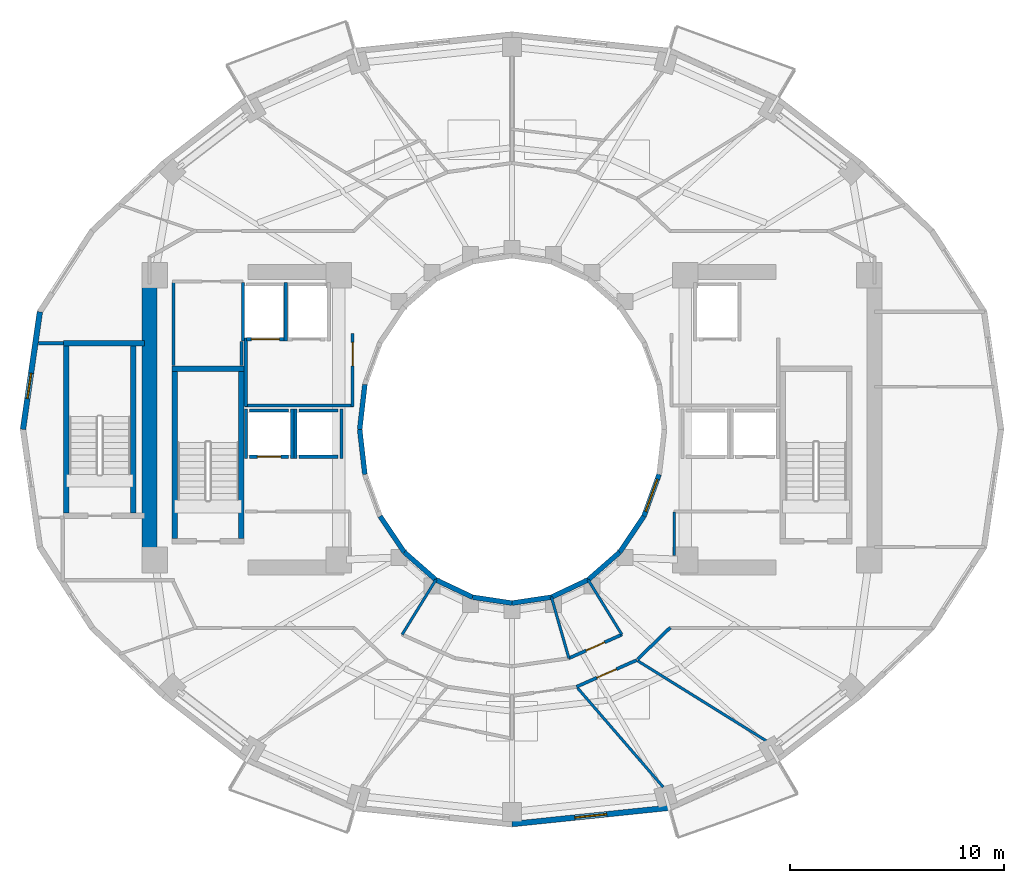
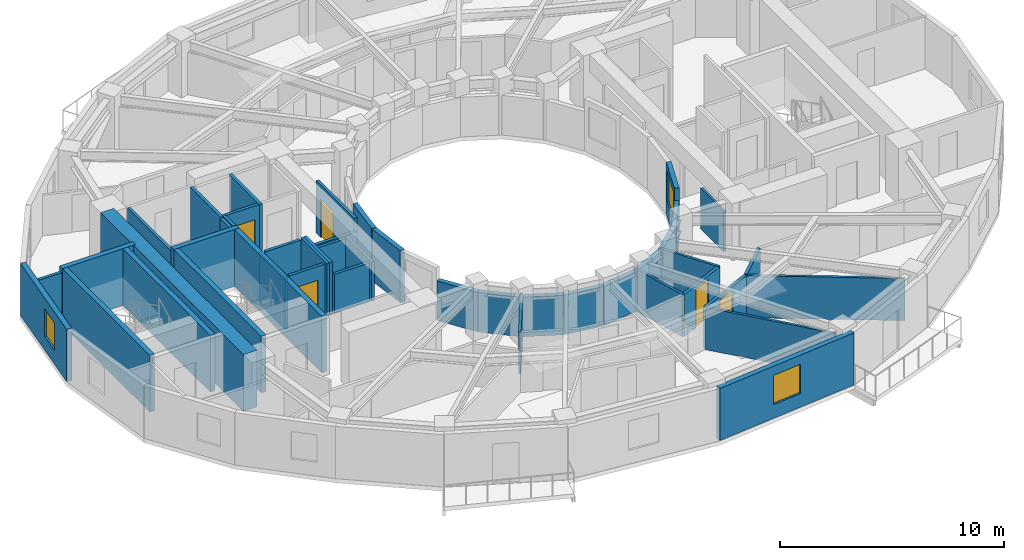
# One storey, part 4 of 10: 46 walls, 5 doors, 3 windows, 8 openings.
"""IFC4 building model written with IfcOpenShell, lengths in metres."""

from ifc_helpers import new_model, si_unit, direction, frame, frame_2d, origin, place, context, subcontext, project, spatial, rectangle, extrude, material, layer, layer_set, type_object, element, fill, save


model = new_model("IFC4")

# Units and contexts
model_context = context("Model", 3, precision=1e-05, world=origin(), true_north=direction((0.0, 1.0)))
body_context = subcontext(model_context, "Body", "Model", "MODEL_VIEW")
ifc_project = project(units=[si_unit("LENGTHUNIT", "METRE"), si_unit("AREAUNIT", "SQUARE_METRE"), si_unit("VOLUMEUNIT", "CUBIC_METRE"), si_unit("PLANEANGLEUNIT", "RADIAN"), si_unit("MASSUNIT", "GRAM", prefix="KILO")], contexts=[model_context])

# Site, building, storey
site_placement = place(None, origin())
site = spatial("IfcSite", under=ifc_project, at=site_placement, CompositionType="ELEMENT")
building_placement = place(site_placement, origin())
building = spatial("IfcBuilding", under=site, at=building_placement, Name="Solvane Sanctuary Tower", CompositionType="ELEMENT")
storey_placement = place(building_placement, frame((0.0, 0.0, 146.699951171875)))
storey = spatial("IfcBuildingStorey", under=building, at=storey_placement, Name="L44", CompositionType="ELEMENT", Elevation=146.699951171875)

# Walls
ifc_material_1 = material(Name="Concrete C60/75", Category="concrete")
ifc_layer_1 = layer(ifc_material_1, 0.699951171875, Name="Concrete C60/75")
ifc_layer_set_1 = layer_set([ifc_layer_1], Name="Concrete C60/75")
wall_type_1 = type_object("IfcWallType", Name="Wall W-CORE-700", PredefinedType="SHEAR", material=ifc_layer_set_1)
wall_1_placement = place(storey_placement, frame((15.050048828125, 17.050048828125, 0.0), z_axis=(0.0, 0.0, 1.0), x_axis=(0.0, 1.0, 0.0)))
element("IfcWall", 1, at=wall_1_placement, inside=storey, type_object=wall_type_1, Name="L44 Core Shear Wall WC-W", PredefinedType="SHEAR", context=body_context, shape_type="SweptSolid", body=[
    extrude(rectangle(XDim=12.800048828125, YDim=0.699951171875, at=frame_2d((6.39990234375, 0.0))), origin(), (0.0, 0.0, 1.0), 3.10009765625),
])
ifc_material_2 = material(Name="Acoustic Gypsum Partition Board")
ifc_layer_2 = layer(ifc_material_2, 0.14990234375, Name="Acoustic Gypsum Partition Board")
ifc_layer_set_2 = layer_set([ifc_layer_2], Name="Acoustic Gypsum Partition Board")
wall_type_2 = type_object("IfcWallType", Name="Wall W-CORR-150", PredefinedType="PARTITIONING", material=ifc_layer_set_2)
wall_2_placement = place(storey_placement, frame((19.52001953125, 24.1201171875, 0.0), z_axis=(0.0, 0.0, 1.0), x_axis=(1.0, 0.0, 0.0)))
element("IfcWall", 2, at=wall_2_placement, inside=storey, type_object=wall_type_2, Name="L44 West Firefighting Lobby South Wall", PredefinedType="PARTITIONING", context=body_context, shape_type="SweptSolid", body=[
    extrude(rectangle(XDim=5.080078125, YDim=0.14990234375, at=frame_2d((2.5400390625, 0.0))), origin(), (0.0, 0.0, 1.0), 2.1201171875),
])
wall_3_placement = place(storey_placement, frame((19.550048828125, 24.080078125, 0.0), z_axis=(0.0, 0.0, 1.0), x_axis=(0.0, 1.0, 0.0)))
element("IfcWall", 3, at=wall_3_placement, inside=storey, type_object=wall_type_2, Name="L44 West Firefighting Lobby West Wall", PredefinedType="PARTITIONING", context=body_context, shape_type="SweptSolid", body=[
    extrude(rectangle(XDim=3.199951171875, YDim=0.14990234375, at=frame_2d((1.60009765625, 0.0))), origin(), (0.0, 0.0, 1.0), 2.85498046875),
])

# Wall, opening, door
wall_4_placement = place(storey_placement, frame((24.550048828125, 24.080078125, 0.0), z_axis=(0.0, 0.0, 1.0), x_axis=(0.0, 1.0, 0.0)))
wall_4 = element("IfcWall", 4, at=wall_4_placement, inside=storey, type_object=wall_type_2, Name="L44 West Firefighting Lobby East Wall", PredefinedType="PARTITIONING", context=body_context, shape_type="SweptSolid", body=[
    extrude(rectangle(XDim=3.39990234375, YDim=0.14990234375, at=frame_2d((1.699951171875, 0.0))), origin(), (0.0, 0.0, 1.0), 2.85498046875),
])
opening_1_placement = place(wall_4_placement, frame((1.893798828125, 0.0, 0.0)))
opening_1 = element("IfcOpeningElement", 5, at=opening_1_placement, cuts=wall_4, Name="Opening D-L44-08", PredefinedType="OPENING", context=body_context, shape_type="SweptSolid", body=[
    extrude(rectangle(XDim=1.10009765625, YDim=2.10009765625, at=frame_2d((0.550048828125, 1.050048828125))), frame((0.0, 0.0849609375, 0.0), z_axis=(0.0, -1.0, 0.0), x_axis=(1.0, 0.0, 0.0)), (0.0, 0.0, 1.0), 0.169921875),
])
ifc_material_3 = material(Name="Architectural Stainless Steel 316", Category="steel")
door_type_1 = type_object("IfcDoorType", Name="Door D-FFL", OperationType="NOTDEFINED", PredefinedType="DOOR", material=ifc_material_3)
door_1_placement = place(opening_1_placement, origin())
door_1 = element("IfcDoor", 6, at=door_1_placement, inside=storey, type_object=door_type_1, Name="L44 West Firefighting Lobby Fire Door", OperationType="SINGLE_SWING_LEFT", OverallHeight=2.10009765625, OverallWidth=1.10009765625, PredefinedType="DOOR", context=body_context, shape_type="SweptSolid", body=[
    extrude(rectangle(XDim=1.10009765625, YDim=2.10009765625, at=frame_2d((0.550048828125, 1.050048828125))), frame((0.0, 0.02490234375, 0.0), z_axis=(0.0, -1.0, 0.0), x_axis=(1.0, 0.0, 0.0)), (0.0, 0.0, 1.0), 0.050048828125),
])
fill(opening_1, door_1)

# Walls
wall_5_placement = place(storey_placement, frame((9.869873046875, 27.030029296875, 0.0), z_axis=(0.0, 0.0, 1.0), x_axis=(1.0, 0.0, 0.0)))
element("IfcWall", 7, at=wall_5_placement, inside=storey, type_object=wall_type_2, Name="L44 NW Corner Closer 1", PredefinedType="PARTITIONING", context=body_context, shape_type="SweptSolid", body=[
    extrude(rectangle(XDim=1.170166015625, YDim=0.14990234375, at=frame_2d((0.5849609375, 0.0))), origin(), (0.0, 0.0, 1.0), 2.85498046875),
])
wall_6_placement = place(storey_placement, frame((37.867431640625, 12.251220703125, 0.0), z_axis=(0.0, 0.0, 1.0), x_axis=(0.717419568599, 0.696641344302, 0.0)))
element("IfcWall", 8, at=wall_6_placement, inside=storey, type_object=wall_type_2, Name="L44 SE Corner Throat Wall", PredefinedType="PARTITIONING", context=body_context, shape_type="SweptSolid", body=[
    extrude(rectangle(XDim=2.138427734375, YDim=0.14990234375, at=frame_2d((1.0693359375, 0.0))), origin(), (0.0, 0.0, 1.0), 2.299072265625),
])

# Wall, opening, door
wall_7_placement = place(storey_placement, frame((34.652587890625, 12.29931640625, 0.0), z_axis=(0.0, 0.0, 1.0), x_axis=(0.913112902883, 0.407706789971, 0.0)))
wall_7 = element("IfcWall", 9, at=wall_7_placement, inside=storey, type_object=wall_type_2, Name="L44 Inner Light-Well Corridor Wall S2", PredefinedType="PARTITIONING", context=body_context, shape_type="SweptSolid", body=[
    extrude(rectangle(XDim=2.728759765625, YDim=0.14990234375, at=frame_2d((1.3642578125, 0.0))), origin(), (0.0, 0.0, 1.0), 2.299072265625),
])
opening_2_placement = place(wall_7_placement, frame((0.889404296875, 0.0, 0.0)))
opening_2 = element("IfcOpeningElement", 10, at=opening_2_placement, cuts=wall_7, Name="Opening D-L44-24", PredefinedType="OPENING", context=body_context, shape_type="SweptSolid", body=[
    extrude(rectangle(XDim=0.949951171875, YDim=2.10009765625, at=frame_2d((0.47509765625, 1.050048828125))), frame((0.0, 0.0849609375, 0.0), z_axis=(0.0, -1.0, 0.0), x_axis=(1.0, 0.0, 0.0)), (0.0, 0.0, 1.0), 0.169921875),
])
ifc_material_4 = material(Name="Engineered Tropical Hardwood", Category="wood")
door_type_2 = type_object("IfcDoorType", Name="Door D-ROOM-950", OperationType="NOTDEFINED", PredefinedType="DOOR", material=ifc_material_4)
door_2_placement = place(opening_2_placement, origin())
door_2 = element("IfcDoor", 11, at=door_2_placement, inside=storey, type_object=door_type_2, Name="L44 Inner Light-Well Salon Door S2", OperationType="SINGLE_SWING_LEFT", OverallHeight=2.10009765625, OverallWidth=0.949951171875, PredefinedType="DOOR", context=body_context, shape_type="SweptSolid", body=[
    extrude(rectangle(XDim=0.949951171875, YDim=2.10009765625, at=frame_2d((0.47509765625, 1.050048828125))), frame((0.0, 0.02490234375, 0.0), z_axis=(0.0, -1.0, 0.0), x_axis=(1.0, 0.0, 0.0)), (0.0, 0.0, 1.0), 0.050048828125),
])
fill(opening_2, door_2)

wall_8_placement = place(storey_placement, frame((35.0087890625, 10.96630859375, 0.0), z_axis=(0.0, 0.0, 1.0), x_axis=(0.91445214467, 0.404694051239, 0.0)))
wall_8 = element("IfcWall", 12, at=wall_8_placement, inside=storey, type_object=wall_type_2, Name="L44 Unit Corridor Wall S3", PredefinedType="PARTITIONING", context=body_context, shape_type="SweptSolid", body=[
    extrude(rectangle(XDim=3.090576171875, YDim=0.14990234375, at=frame_2d((1.54541015625, 0.0))), origin(), (0.0, 0.0, 1.0), 2.299072265625),
])
opening_3_placement = place(wall_8_placement, frame((1.04541015625, 0.0, 0.0)))
opening_3 = element("IfcOpeningElement", 13, at=opening_3_placement, cuts=wall_8, Name="Opening D-L44-34", PredefinedType="OPENING", context=body_context, shape_type="SweptSolid", body=[
    extrude(rectangle(XDim=1.0, YDim=2.10009765625, at=frame_2d((0.5, 1.050048828125))), frame((0.0, 0.0849609375, 0.0), z_axis=(0.0, -1.0, 0.0), x_axis=(1.0, 0.0, 0.0)), (0.0, 0.0, 1.0), 0.169921875),
])
door_type_3 = type_object("IfcDoorType", Name="Door D-UNIT", OperationType="NOTDEFINED", PredefinedType="DOOR", material=ifc_material_4)
door_3_placement = place(opening_3_placement, origin())
door_3 = element("IfcDoor", 14, at=door_3_placement, inside=storey, type_object=door_type_3, Name="L44 Unit Entrance Door S3", OperationType="SINGLE_SWING_LEFT", OverallHeight=2.10009765625, OverallWidth=1.0, PredefinedType="DOOR", context=body_context, shape_type="SweptSolid", body=[
    extrude(rectangle(XDim=1.0, YDim=2.10009765625, at=frame_2d((0.5, 1.050048828125))), frame((0.0, 0.02490234375, 0.0), z_axis=(0.0, -1.0, 0.0), x_axis=(1.0, 0.0, 0.0)), (0.0, 0.0, 1.0), 0.050048828125),
])
fill(opening_3, door_3)

# Wall, opening, window
ifc_material_5 = material(Name="Precast concrete C40/50", Category="concrete")
ifc_layer_3 = layer(ifc_material_5, 0.260009765625, Name="Precast concrete C40/50")
ifc_layer_set_3 = layer_set([ifc_layer_3], Name="Precast concrete C40/50")
wall_type_3 = type_object("IfcWallType", Name="Wall W-EXT-250", PredefinedType="STANDARD", material=ifc_layer_set_3)
wall_9_placement = place(storey_placement, frame((9.9296875, 28.49658203125, 0.0), z_axis=(0.0, 0.0, 1.0), x_axis=(-0.142227632286, -0.989833976288, 0.0)))
wall_9 = element("IfcWall", 15, at=wall_9_placement, inside=storey, type_object=wall_type_3, Name="L44 Ceramic-Printed Facade Wall 11", PredefinedType="STANDARD", context=body_context, shape_type="SweptSolid", body=[
    extrude(rectangle(XDim=5.552978515625, YDim=0.260009765625, at=frame_2d((2.7763671875, 0.0))), origin(), (0.0, 0.0, 1.0), 2.85009765625),
])
opening_4_placement = place(wall_9_placement, frame((2.892333984375, 0.0, 0.75)))
opening_4 = element("IfcOpeningElement", 16, at=opening_4_placement, cuts=wall_9, Name="Opening WN-OPER-1200", PredefinedType="OPENING", context=body_context, shape_type="SweptSolid", body=[
    extrude(rectangle(XDim=1.199951171875, YDim=1.5, at=frame_2d((0.60009765625, 0.75))), frame((0.0, 0.139892578125, 0.0), z_axis=(0.0, -1.0, 0.0), x_axis=(1.0, 0.0, 0.0)), (0.0, 0.0, 1.0), 0.280029296875),
])
ifc_material_6 = material(Name="Dark Ceramic-Fritted Low-E Glass", Category="glass")
window_type_1 = type_object("IfcWindowType", Name="Window WN-OPER-1200", PartitioningType="SINGLE_PANEL", PredefinedType="WINDOW", material=ifc_material_6)
window_1_placement = place(opening_4_placement, origin())
window_1 = element("IfcWindow", 17, at=window_1_placement, inside=storey, type_object=window_type_1, Name="L44 Operable Facade Window 11", OverallHeight=1.5, OverallWidth=1.199951171875, PartitioningType="SINGLE_PANEL", PredefinedType="WINDOW", context=body_context, shape_type="SweptSolid", body=[
    extrude(rectangle(XDim=1.199951171875, YDim=1.5, at=frame_2d((0.60009765625, 0.75))), frame((0.0, 0.030029296875, 0.0), z_axis=(0.0, -1.0, 0.0), x_axis=(1.0, 0.0, 0.0)), (0.0, 0.0, 1.0), 0.06005859375),
])
fill(opening_4, window_1)

wall_10_placement = place(storey_placement, frame((32.0, 4.551513671875, 0.0), z_axis=(0.0, 0.0, 1.0), x_axis=(0.994664178965, 0.10316574569, 0.0)))
wall_10 = element("IfcWall", 18, at=wall_10_placement, inside=storey, type_object=wall_type_3, Name="L44 Ceramic-Printed Facade Wall 18", PredefinedType="STANDARD", context=body_context, shape_type="SweptSolid", body=[
    extrude(rectangle(XDim=7.40478515625, YDim=0.260009765625, at=frame_2d((3.702392578125, 0.0))), origin(), (0.0, 0.0, 1.0), 2.85009765625),
])
opening_5_placement = place(wall_10_placement, frame((2.952392578125, 0.0, 0.75)))
opening_5 = element("IfcOpeningElement", 19, at=opening_5_placement, cuts=wall_10, Name="Opening WN-OPER-1500", PredefinedType="OPENING", context=body_context, shape_type="SweptSolid", body=[
    extrude(rectangle(XDim=1.5, YDim=1.60009765625, at=frame_2d((0.75, 0.800048828125))), frame((0.0, 0.139892578125, 0.0), z_axis=(0.0, -1.0, 0.0), x_axis=(1.0, 0.0, 0.0)), (0.0, 0.0, 1.0), 0.280029296875),
])
window_type_2 = type_object("IfcWindowType", Name="Window WN-OPER-1500", PartitioningType="SINGLE_PANEL", PredefinedType="WINDOW", material=ifc_material_6)
window_2_placement = place(opening_5_placement, origin())
window_2 = element("IfcWindow", 20, at=window_2_placement, inside=storey, type_object=window_type_2, Name="L44 Operable Facade Window 18", OverallHeight=1.60009765625, OverallWidth=1.5, PartitioningType="SINGLE_PANEL", PredefinedType="WINDOW", context=body_context, shape_type="SweptSolid", body=[
    extrude(rectangle(XDim=1.5, YDim=1.60009765625, at=frame_2d((0.75, 0.800048828125))), frame((0.0, 0.030029296875, 0.0), z_axis=(0.0, -1.0, 0.0), x_axis=(1.0, 0.0, 0.0)), (0.0, 0.0, 1.0), 0.06005859375),
])
fill(opening_5, window_2)

# Walls
ifc_layer_4 = layer(ifc_material_5, 0.22998046875, Name="Precast concrete C40/50")
ifc_layer_set_4 = layer_set([ifc_layer_4], Name="Precast concrete C40/50")
wall_type_4 = type_object("IfcWallType", Name="Wall W-EXT-SP220", PredefinedType="STANDARD", material=ifc_layer_set_4)
for number, where, z_axis, x_axis, name in (
    (21, (25.12255859375, 25.1015625, 0.0), (0.0, 0.0, 1.0), (-0.114711713601, -0.993398823617, 0.0), "L44 Central Light-Well Wall 11"),
    (22, (24.8798828125, 23.0, 0.0), (0.0, 0.0, 1.0), (0.114711713601, -0.993398823617, 0.0), "L44 Central Light-Well Wall 12"),
):
    element("IfcWall", number, at=place(storey_placement, frame(where, z_axis=z_axis, x_axis=x_axis)), inside=storey, type_object=wall_type_4, Name=name, PredefinedType="STANDARD", context=body_context, shape_type="SweptSolid", body=[
        extrude(rectangle(XDim=2.115478515625, YDim=0.22998046875, at=frame_2d((1.0576171875, 0.0))), origin(), (0.0, 0.0, 1.0), 2.840087890625),
    ])
wall_11_placement = place(storey_placement, frame((25.833984375, 18.93994140625, 0.0), z_axis=(0.0, 0.0, 1.0), x_axis=(0.558197800898, -0.829707909492, 0.0)))
element("IfcWall", 23, at=wall_11_placement, inside=storey, type_object=wall_type_4, Name="L44 Central Light-Well Wall 14", PredefinedType="STANDARD", context=body_context, shape_type="SweptSolid", body=[
    extrude(rectangle(XDim=2.02685546875, YDim=0.22998046875, at=frame_2d((1.013427734375, 0.0))), origin(), (0.0, 0.0, 1.0), 2.16015625),
])
wall_12_placement = place(storey_placement, frame((26.96533203125, 17.25830078125, 0.0), z_axis=(0.0, 0.0, 1.0), x_axis=(0.752576694707, -0.658504607869, 0.0)))
element("IfcWall", 24, at=wall_12_placement, inside=storey, type_object=wall_type_4, Name="L44 Central Light-Well Wall 15", PredefinedType="STANDARD", context=body_context, shape_type="SweptSolid", body=[
    extrude(rectangle(XDim=1.95947265625, YDim=0.22998046875, at=frame_2d((0.979736328125, 0.0))), origin(), (0.0, 0.0, 1.0), 2.16015625),
])
wall_13_placement = place(storey_placement, frame((28.43994140625, 15.968017578125, 0.0), z_axis=(0.0, 0.0, 1.0), x_axis=(0.904179699603, -0.427152280606, 0.0)))
element("IfcWall", 25, at=wall_13_placement, inside=storey, type_object=wall_type_4, Name="L44 Central Light-Well Wall 16", PredefinedType="STANDARD", context=body_context, shape_type="SweptSolid", body=[
    extrude(rectangle(XDim=1.899169921875, YDim=0.22998046875, at=frame_2d((0.94970703125, 0.0))), origin(), (0.0, 0.0, 1.0), 2.16015625),
])
for number, where, z_axis, x_axis, name in (
    (26, (30.1572265625, 15.15673828125, 0.0), (0.0, 0.0, 1.0), (0.988901730308, -0.148571086668, 0.0), "L44 Central Light-Well Wall 17"),
    (27, (32.0, 14.8798828125, 0.0), (0.0, 0.0, 1.0), (0.988901730308, 0.148571086668, 0.0), "L44 Central Light-Well Wall 18"),
):
    element("IfcWall", number, at=place(storey_placement, frame(where, z_axis=z_axis, x_axis=x_axis)), inside=storey, type_object=wall_type_4, Name=name, PredefinedType="STANDARD", context=body_context, shape_type="SweptSolid", body=[
        extrude(rectangle(XDim=1.863525390625, YDim=0.22998046875, at=frame_2d((0.931640625, 0.0))), origin(), (0.0, 0.0, 1.0), 2.16015625),
    ])
wall_14_placement = place(storey_placement, frame((33.8427734375, 15.15673828125, 0.0), z_axis=(0.0, 0.0, 1.0), x_axis=(0.904179699603, 0.427152280606, 0.0)))
element("IfcWall", 28, at=wall_14_placement, inside=storey, type_object=wall_type_4, Name="L44 Central Light-Well Wall 19", PredefinedType="STANDARD", context=body_context, shape_type="SweptSolid", body=[
    extrude(rectangle(XDim=1.899169921875, YDim=0.22998046875, at=frame_2d((0.94970703125, 0.0))), origin(), (0.0, 0.0, 1.0), 2.16015625),
])
wall_15_placement = place(storey_placement, frame((35.56005859375, 15.968017578125, 0.0), z_axis=(0.0, 0.0, 1.0), x_axis=(0.752576694707, 0.658504607869, 0.0)))
element("IfcWall", 29, at=wall_15_placement, inside=storey, type_object=wall_type_4, Name="L44 Central Light-Well Wall 20", PredefinedType="STANDARD", context=body_context, shape_type="SweptSolid", body=[
    extrude(rectangle(XDim=1.95947265625, YDim=0.22998046875, at=frame_2d((0.979736328125, 0.0))), origin(), (0.0, 0.0, 1.0), 2.16015625),
])
wall_16_placement = place(storey_placement, frame((37.03466796875, 17.25830078125, 0.0), z_axis=(0.0, 0.0, 1.0), x_axis=(0.558197800898, 0.829707909492, 0.0)))
element("IfcWall", 30, at=wall_16_placement, inside=storey, type_object=wall_type_4, Name="L44 Central Light-Well Wall 21", PredefinedType="STANDARD", context=body_context, shape_type="SweptSolid", body=[
    extrude(rectangle(XDim=2.02685546875, YDim=0.22998046875, at=frame_2d((1.013427734375, 0.0))), origin(), (0.0, 0.0, 1.0), 2.16015625),
])

# Wall, opening, window
wall_17_placement = place(storey_placement, frame((38.166015625, 18.93994140625, 0.0), z_axis=(0.0, 0.0, 1.0), x_axis=(0.341423187295, 0.93990968033, 0.0)))
wall_17 = element("IfcWall", 31, at=wall_17_placement, inside=storey, type_object=wall_type_4, Name="L44 Central Light-Well Wall 22", PredefinedType="STANDARD", context=body_context, shape_type="SweptSolid", body=[
    extrude(rectangle(XDim=2.083740234375, YDim=0.22998046875, at=frame_2d((1.0419921875, 0.0))), origin(), (0.0, 0.0, 1.0), 2.840087890625),
])
opening_6_placement = place(wall_17_placement, frame((0.24169921875, 0.0, 0.85009765625)))
opening_6 = element("IfcOpeningElement", 32, at=opening_6_placement, cuts=wall_17, Name="Opening WN-WELL-1600", PredefinedType="OPENING", context=body_context, shape_type="SweptSolid", body=[
    extrude(rectangle(XDim=1.60009765625, YDim=1.64990234375, at=frame_2d((0.800048828125, 0.824951171875))), frame((0.0, 0.125, 0.0), z_axis=(0.0, -1.0, 0.0), x_axis=(1.0, 0.0, 0.0)), (0.0, 0.0, 1.0), 0.25),
])
ifc_material_7 = material(Name="Clear Laminated Light-Well Glass", Category="glass")
window_type_3 = type_object("IfcWindowType", Name="Window WN-WELL-1600", PartitioningType="SINGLE_PANEL", PredefinedType="WINDOW", material=ifc_material_7)
window_3_placement = place(opening_6_placement, origin())
window_3 = element("IfcWindow", 33, at=window_3_placement, inside=storey, type_object=window_type_3, Name="L44 Light-Well Daylight Window 22", OverallHeight=1.64990234375, OverallWidth=1.60009765625, PartitioningType="SINGLE_PANEL", PredefinedType="WINDOW", context=body_context, shape_type="SweptSolid", body=[
    extrude(rectangle(XDim=1.60009765625, YDim=1.64990234375, at=frame_2d((0.800048828125, 0.824951171875))), frame((0.0, 0.030029296875, 0.0), z_axis=(0.0, -1.0, 0.0), x_axis=(1.0, 0.0, 0.0)), (0.0, 0.0, 1.0), 0.06005859375),
])
fill(opening_6, window_3)

# Walls
ifc_layer_5 = layer(ifc_material_2, 0.125, Name="Acoustic Gypsum Partition Board")
ifc_layer_set_5 = layer_set([ifc_layer_5], Name="Acoustic Gypsum Partition Board")
wall_type_5 = type_object("IfcWallType", Name="Wall W-PART-125", PredefinedType="PARTITIONING", material=ifc_layer_set_5)
wall_18_placement = place(storey_placement, frame((39.580078125, 17.10009765625, 0.0), z_axis=(0.0, 0.0, 1.0), x_axis=(0.0, 1.0, 0.0)))
element("IfcWall", 34, at=wall_18_placement, inside=storey, type_object=wall_type_5, Name="L44 Reclaimed Room Closer Wall PLE-1", PredefinedType="PARTITIONING", context=body_context, shape_type="SweptSolid", body=[
    extrude(rectangle(XDim=2.039794921875, YDim=0.125, at=frame_2d((1.02001953125, 0.0))), origin(), (0.0, 0.0, 1.0), 2.23193359375),
])
wall_19_placement = place(storey_placement, frame((28.449951171875, 15.985107421875, 0.0), z_axis=(0.0, 0.0, 1.0), x_axis=(-0.524565340045, -0.851370192116, 0.0)))
element("IfcWall", 35, at=wall_19_placement, inside=storey, type_object=wall_type_5, Name="L44 Inner Light-Well Radial Wall 240", PredefinedType="PARTITIONING", context=body_context, shape_type="SweptSolid", body=[
    extrude(rectangle(XDim=3.027099609375, YDim=0.125, at=frame_2d((1.513671875, 0.0))), origin(), (0.0, 0.0, 1.0), 2.299072265625),
])
wall_20_placement = place(storey_placement, frame((33.837646484375, 15.176025390625, 0.0), z_axis=(0.0, 0.0, 1.0), x_axis=(0.274947609893, -0.961459209647, 0.0)))
element("IfcWall", 36, at=wall_20_placement, inside=storey, type_object=wall_type_5, Name="L44 Inner Light-Well Radial Wall 285", PredefinedType="PARTITIONING", context=body_context, shape_type="SweptSolid", body=[
    extrude(rectangle(XDim=2.98974609375, YDim=0.125, at=frame_2d((1.494873046875, 0.0))), origin(), (0.0, 0.0, 1.0), 2.299072265625),
])
wall_21_placement = place(storey_placement, frame((35.550048828125, 15.985107421875, 0.0), z_axis=(0.0, 0.0, 1.0), x_axis=(0.524565340045, -0.851370192116, 0.0)))
element("IfcWall", 37, at=wall_21_placement, inside=storey, type_object=wall_type_5, Name="L44 Inner Light-Well Radial Wall 300", PredefinedType="PARTITIONING", context=body_context, shape_type="SweptSolid", body=[
    extrude(rectangle(XDim=3.027099609375, YDim=0.125, at=frame_2d((1.513671875, 0.0))), origin(), (0.0, 0.0, 1.0), 2.299072265625),
])
wall_22_placement = place(storey_placement, frame((35.052734375, 10.9267578125, 0.0), z_axis=(0.0, 0.0, 1.0), x_axis=(0.653779283332, -0.756685303601, 0.0)))
element("IfcWall", 38, at=wall_22_placement, inside=storey, type_object=wall_type_5, Name="L44 Radial Compartment Wall 285", PredefinedType="PARTITIONING", context=body_context, shape_type="SweptSolid", body=[
    extrude(rectangle(XDim=6.139892578125, YDim=0.125, at=frame_2d((3.06982421875, 0.0))), origin(), (0.0, 0.0, 1.0), 2.299072265625),
])
wall_23_placement = place(storey_placement, frame((37.874755859375, 12.18359375, 0.0), z_axis=(0.0, 0.0, 1.0), x_axis=(0.849008457073, -0.528379257559, 0.0)))
element("IfcWall", 39, at=wall_23_placement, inside=storey, type_object=wall_type_5, Name="L44 Radial Compartment Wall 300", PredefinedType="PARTITIONING", context=body_context, shape_type="SweptSolid", body=[
    extrude(rectangle(XDim=7.076904296875, YDim=0.125, at=frame_2d((3.53857421875, 0.0))), origin(), (0.0, 0.0, 1.0), 2.299072265625),
])

# Wall, opening, door
ifc_material_8 = material(Name="Concrete C50/60", Category="concrete")
ifc_layer_6 = layer(ifc_material_8, 0.14990234375, Name="Concrete C50/60")
ifc_layer_set_6 = layer_set([ifc_layer_6], Name="Concrete C50/60")
wall_type_6 = type_object("IfcWallType", Name="Wall W-SHAFT-150", PredefinedType="SOLIDWALL", material=ifc_layer_set_6)
wall_24_placement = place(storey_placement, frame((19.739990234375, 21.719970703125, 0.0), z_axis=(0.0, 0.0, 1.0), x_axis=(1.0, 0.0, 0.0)))
wall_24 = element("IfcWall", 40, at=wall_24_placement, inside=storey, type_object=wall_type_6, Name="L44 PM-1 Lift Shaft Wall F", PredefinedType="SOLIDWALL", context=body_context, shape_type="SweptSolid", body=[
    extrude(rectangle(XDim=1.820068359375, YDim=0.14990234375, at=frame_2d((0.91015625, 0.0))), origin(), (0.0, 0.0, 1.0), 2.85498046875),
])
opening_7_placement = place(wall_24_placement, frame((0.360107421875, 0.0, 0.0)))
opening_7 = element("IfcOpeningElement", 41, at=opening_7_placement, cuts=wall_24, Name="Opening LD-L44-01", PredefinedType="OPENING", context=body_context, shape_type="SweptSolid", body=[
    extrude(rectangle(XDim=1.10009765625, YDim=2.10009765625, at=frame_2d((0.550048828125, 1.050048828125))), frame((0.0, 0.0849609375, 0.0), z_axis=(0.0, -1.0, 0.0), x_axis=(1.0, 0.0, 0.0)), (0.0, 0.0, 1.0), 0.169921875),
])
door_type_4 = type_object("IfcDoorType", Name="Door LD-PASS-1100", OperationType="NOTDEFINED", PredefinedType="DOOR", material=ifc_material_3)
door_4_placement = place(opening_7_placement, origin())
door_4 = element("IfcDoor", 42, at=door_4_placement, inside=storey, type_object=door_type_4, Name="L44 PM-1 Lift Landing Door", OperationType="DOUBLE_DOOR_SLIDING", OverallHeight=2.10009765625, OverallWidth=1.10009765625, PredefinedType="DOOR", context=body_context, shape_type="SweptSolid", body=[
    extrude(rectangle(XDim=1.10009765625, YDim=2.10009765625, at=frame_2d((0.550048828125, 1.050048828125))), frame((0.0, 0.02490234375, 0.0), z_axis=(0.0, -1.0, 0.0), x_axis=(1.0, 0.0, 0.0)), (0.0, 0.0, 1.0), 0.050048828125),
])
fill(opening_7, door_4)

# Walls
wall_25_placement = place(storey_placement, frame((19.739990234375, 23.8798828125, 0.0), z_axis=(0.0, 0.0, 1.0), x_axis=(1.0, 0.0, 0.0)))
element("IfcWall", 43, at=wall_25_placement, inside=storey, type_object=wall_type_6, Name="L44 PM-1 Lift Shaft Wall B", PredefinedType="SOLIDWALL", context=body_context, shape_type="SweptSolid", body=[
    extrude(rectangle(XDim=1.820068359375, YDim=0.14990234375, at=frame_2d((0.91015625, 0.0))), origin(), (0.0, 0.0, 1.0), 2.85498046875),
])
for number, where, z_axis, x_axis, name in (
    (44, (19.570068359375, 21.639892578125, 0.0), (0.0, 0.0, 1.0), (0.0, 1.0, 0.0), "L44 PM-1 Lift Shaft Wall S1"),
    (45, (21.72998046875, 21.639892578125, 0.0), (0.0, 0.0, 1.0), (0.0, 1.0, 0.0), "L44 PM-1 Lift Shaft Wall S2"),
):
    element("IfcWall", number, at=place(storey_placement, frame(where, z_axis=z_axis, x_axis=x_axis)), inside=storey, type_object=wall_type_6, Name=name, PredefinedType="SOLIDWALL", context=body_context, shape_type="SweptSolid", body=[
        extrude(rectangle(XDim=2.320068359375, YDim=0.14990234375, at=frame_2d((1.16015625, 0.0))), origin(), (0.0, 0.0, 1.0), 2.85498046875),
    ])
for number, where, z_axis, x_axis, name in (
    (46, (22.0400390625, 21.719970703125, 0.0), (0.0, 0.0, 1.0), (1.0, 0.0, 0.0), "L44 PH-1 Lift Shaft Wall F"),
    (47, (22.0400390625, 23.8798828125, 0.0), (0.0, 0.0, 1.0), (1.0, 0.0, 0.0), "L44 PH-1 Lift Shaft Wall B"),
):
    element("IfcWall", number, at=place(storey_placement, frame(where, z_axis=z_axis, x_axis=x_axis)), inside=storey, type_object=wall_type_6, Name=name, PredefinedType="SOLIDWALL", context=body_context, shape_type="SweptSolid", body=[
        extrude(rectangle(XDim=1.820068359375, YDim=0.14990234375, at=frame_2d((0.91015625, 0.0))), origin(), (0.0, 0.0, 1.0), 2.1201171875),
    ])
wall_26_placement = place(storey_placement, frame((21.8701171875, 21.639892578125, 0.0), z_axis=(0.0, 0.0, 1.0), x_axis=(0.0, 1.0, 0.0)))
element("IfcWall", 48, at=wall_26_placement, inside=storey, type_object=wall_type_6, Name="L44 PH-1 Lift Shaft Wall S1", PredefinedType="SOLIDWALL", context=body_context, shape_type="SweptSolid", body=[
    extrude(rectangle(XDim=2.320068359375, YDim=0.14990234375, at=frame_2d((1.16015625, 0.0))), origin(), (0.0, 0.0, 1.0), 2.85498046875),
])
wall_27_placement = place(storey_placement, frame((24.030029296875, 21.639892578125, 0.0), z_axis=(0.0, 0.0, 1.0), x_axis=(0.0, 1.0, 0.0)))
element("IfcWall", 49, at=wall_27_placement, inside=storey, type_object=wall_type_6, Name="L44 PH-1 Lift Shaft Wall S2", PredefinedType="SOLIDWALL", context=body_context, shape_type="SweptSolid", body=[
    extrude(rectangle(XDim=2.320068359375, YDim=0.14990234375, at=frame_2d((1.16015625, 0.0))), origin(), (0.0, 0.0, 1.0), 2.1201171875),
])

# Wall, opening, door
wall_28_placement = place(storey_placement, frame((19.590087890625, 27.219970703125, 0.0), z_axis=(0.0, 0.0, 1.0), x_axis=(1.0, 0.0, 0.0)))
wall_28 = element("IfcWall", 50, at=wall_28_placement, inside=storey, type_object=wall_type_6, Name="L44 FFL-1 Lift Shaft Wall F", PredefinedType="SOLIDWALL", context=body_context, shape_type="SweptSolid", body=[
    extrude(rectangle(XDim=1.760009765625, YDim=0.14990234375, at=frame_2d((0.8798828125, 0.0))), origin(), (0.0, 0.0, 1.0), 2.85498046875),
])
opening_8_placement = place(wall_28_placement, frame((0.22998046875, 0.0, 0.0)))
opening_8 = element("IfcOpeningElement", 51, at=opening_8_placement, cuts=wall_28, Name="Opening LD-L44-03", PredefinedType="OPENING", context=body_context, shape_type="SweptSolid", body=[
    extrude(rectangle(XDim=1.300048828125, YDim=2.10009765625, at=frame_2d((0.64990234375, 1.050048828125))), frame((0.0, 0.0849609375, 0.0), z_axis=(0.0, -1.0, 0.0), x_axis=(1.0, 0.0, 0.0)), (0.0, 0.0, 1.0), 0.169921875),
])
door_type_5 = type_object("IfcDoorType", Name="Door LD-FFL-1300", OperationType="NOTDEFINED", PredefinedType="DOOR", material=ifc_material_3)
door_5_placement = place(opening_8_placement, origin())
door_5 = element("IfcDoor", 52, at=door_5_placement, inside=storey, type_object=door_type_5, Name="L44 FFL-1 Lift Landing Door", OperationType="DOUBLE_DOOR_SLIDING", OverallHeight=2.10009765625, OverallWidth=1.300048828125, PredefinedType="DOOR", context=body_context, shape_type="SweptSolid", body=[
    extrude(rectangle(XDim=1.300048828125, YDim=2.10009765625, at=frame_2d((0.64990234375, 1.050048828125))), frame((0.0, 0.02490234375, 0.0), z_axis=(0.0, -1.0, 0.0), x_axis=(1.0, 0.0, 0.0)), (0.0, 0.0, 1.0), 0.050048828125),
])
fill(opening_8, door_5)

# Walls
for number, where, z_axis, x_axis, name in (
    (53, (19.419921875, 27.139892578125, 0.0), (0.0, 0.0, 1.0), (0.0, 1.0, 0.0), "L44 FFL-1 Lift Shaft Wall S1"),
    (54, (21.425048828125, 27.139892578125, 0.0), (0.0, 0.0, 1.0), (0.0, 1.0, 0.0), "L44 FFL-1 Lift Shaft Wall S2"),
):
    element("IfcWall", number, at=place(storey_placement, frame(where, z_axis=z_axis, x_axis=x_axis)), inside=storey, type_object=wall_type_6, Name=name, PredefinedType="SOLIDWALL", context=body_context, shape_type="SweptSolid", body=[
        extrude(rectangle(XDim=2.72021484375, YDim=0.14990234375, at=frame_2d((1.360107421875, 0.0))), origin(), (0.0, 0.0, 1.0), 2.85498046875),
    ])
ifc_layer_7 = layer(ifc_material_8, 0.25, Name="Concrete C50/60")
ifc_layer_set_7 = layer_set([ifc_layer_7], Name="Concrete C50/60")
wall_type_7 = type_object("IfcWallType", Name="Wall W-SHAFT-250", PredefinedType="SOLIDWALL", material=ifc_layer_set_7)
wall_29_placement = place(storey_placement, frame((16.10498046875, 25.830078125, 0.0), z_axis=(0.0, 0.0, 1.0), x_axis=(1.0, 0.0, 0.0)))
element("IfcWall", 55, at=wall_29_placement, inside=storey, type_object=wall_type_7, Name="L44 ST-1 Load-Bearing Shaft Wall N", PredefinedType="SOLIDWALL", context=body_context, shape_type="SweptSolid", body=[
    extrude(rectangle(XDim=3.3701171875, YDim=0.25, at=frame_2d((1.68505859375, 0.0))), origin(), (0.0, 0.0, 1.0), 3.10009765625),
])
for number, where, z_axis, x_axis, name in (
    (56, (16.22998046875, 17.89501953125, 0.0), (0.0, 0.0, 1.0), (0.0, 1.0, 0.0), "L44 ST-1 Load-Bearing Shaft Wall W"),
    (57, (19.35009765625, 17.89501953125, 0.0), (0.0, 0.0, 1.0), (0.0, 1.0, 0.0), "L44 ST-1 Load-Bearing Shaft Wall E"),
):
    element("IfcWall", number, at=place(storey_placement, frame(where, z_axis=z_axis, x_axis=x_axis)), inside=storey, type_object=wall_type_7, Name=name, PredefinedType="SOLIDWALL", context=body_context, shape_type="SweptSolid", body=[
        extrude(rectangle(XDim=7.81005859375, YDim=0.25, at=frame_2d((3.905029296875, 0.0))), origin(), (0.0, 0.0, 1.0), 3.10009765625),
    ])
wall_30_placement = place(storey_placement, frame((11.044921875, 27.030029296875, 0.0), z_axis=(0.0, 0.0, 1.0), x_axis=(1.0, 0.0, 0.0)))
element("IfcWall", 58, at=wall_30_placement, inside=storey, type_object=wall_type_7, Name="L44 ST-3 Load-Bearing Shaft Wall N", PredefinedType="SOLIDWALL", context=body_context, shape_type="SweptSolid", body=[
    extrude(rectangle(XDim=3.781982421875, YDim=0.25, at=frame_2d((1.89111328125, 0.0))), origin(), (0.0, 0.0, 1.0), 3.10009765625),
])
for number, where, z_axis, x_axis, name in (
    (59, (11.169921875, 19.094970703125, 0.0), (0.0, 0.0, 1.0), (0.0, 1.0, 0.0), "L44 ST-3 Load-Bearing Shaft Wall W"),
    (60, (14.2900390625, 19.094970703125, 0.0), (0.0, 0.0, 1.0), (0.0, 1.0, 0.0), "L44 ST-3 Load-Bearing Shaft Wall E"),
):
    element("IfcWall", number, at=place(storey_placement, frame(where, z_axis=z_axis, x_axis=x_axis)), inside=storey, type_object=wall_type_7, Name=name, PredefinedType="SOLIDWALL", context=body_context, shape_type="SweptSolid", body=[
        extrude(rectangle(XDim=7.81005859375, YDim=0.25, at=frame_2d((3.905029296875, 0.0))), origin(), (0.0, 0.0, 1.0), 3.10009765625),
    ])
ifc_layer_8 = layer(ifc_material_2, 0.139892578125, Name="Acoustic Gypsum Partition Board")
ifc_layer_set_8 = layer_set([ifc_layer_8], Name="Acoustic Gypsum Partition Board")
wall_type_8 = type_object("IfcWallType", Name="Wall W-WET-140", PredefinedType="PLUMBINGWALL", material=ifc_layer_set_8)
wall_31_placement = place(storey_placement, frame((16.179931640625, 25.97998046875, 0.0), z_axis=(0.0, 0.0, 1.0), x_axis=(0.0, 1.0, 0.0)))
element("IfcWall", 61, at=wall_31_placement, inside=storey, type_object=wall_type_8, Name="L44 Core Service Side Wall KW0-1", PredefinedType="PLUMBINGWALL", context=body_context, shape_type="SweptSolid", body=[
    extrude(rectangle(XDim=3.880126953125, YDim=0.139892578125, at=frame_2d((1.93994140625, 0.0))), origin(), (0.0, 0.0, 1.0), 2.85498046875),
])
wall_32_placement = place(storey_placement, frame((19.360107421875, 25.97998046875, 0.0), z_axis=(0.0, 0.0, 1.0), x_axis=(0.0, 1.0, 0.0)))
element("IfcWall", 62, at=wall_32_placement, inside=storey, type_object=wall_type_8, Name="L44 Core Service Side Wall KW0-2", PredefinedType="PLUMBINGWALL", context=body_context, shape_type="SweptSolid", body=[
    extrude(rectangle(XDim=1.1201171875, YDim=0.139892578125, at=frame_2d((0.56005859375, 0.0))), origin(), (0.0, 0.0, 1.0), 2.85498046875),
])

save(model, "model.ifc")
